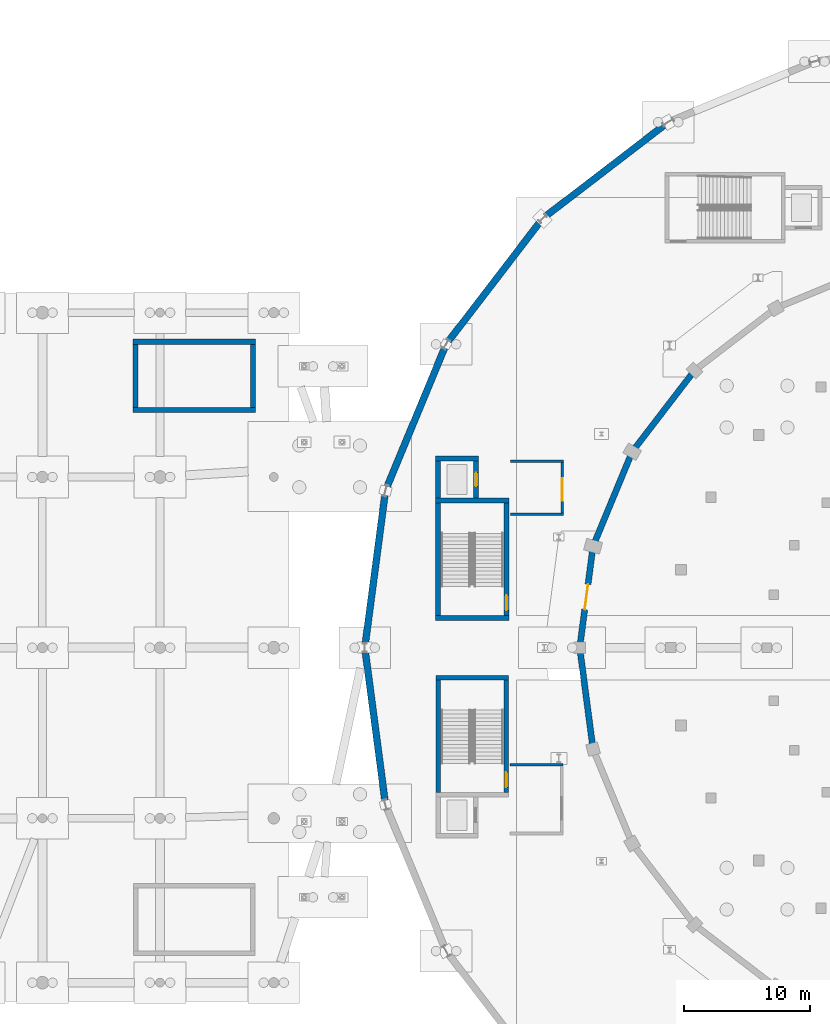
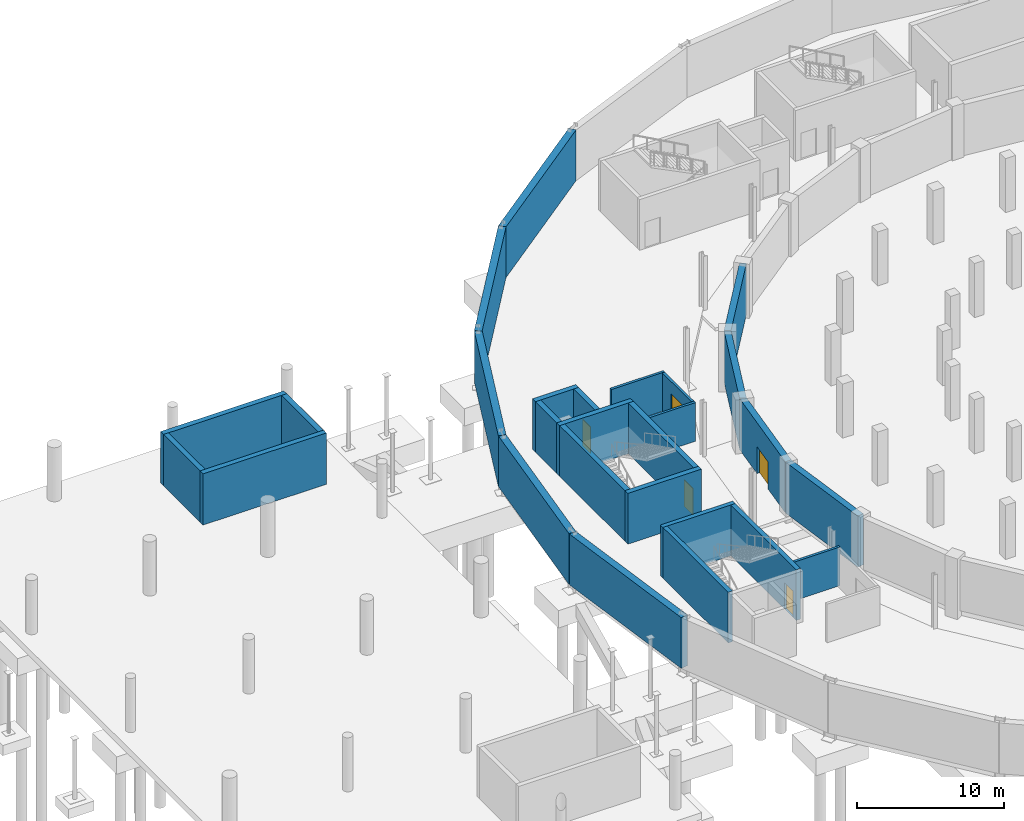
# One storey, part 46 of 55: 27 walls, 5 doors, 5 openings.
"""IFC4 building model written with IfcOpenShell, lengths in metres."""

from ifc_helpers import new_model, si_unit, direction, frame, frame_2d, origin, place, context, subcontext, project, spatial, rectangle, extrude, material, layer, layer_set, type_object, element, fill, save


model = new_model("IFC4")

# Units and contexts
model_context = context("Model", 3, precision=1e-05, world=origin(), true_north=direction((0.0, 1.0)))
body_context = subcontext(model_context, "Body", "Model", "MODEL_VIEW")
ifc_project = project(units=[si_unit("LENGTHUNIT", "METRE"), si_unit("AREAUNIT", "SQUARE_METRE"), si_unit("VOLUMEUNIT", "CUBIC_METRE"), si_unit("PLANEANGLEUNIT", "RADIAN"), si_unit("MASSUNIT", "GRAM", prefix="KILO")], contexts=[model_context])

# Site, building, storey
site_placement = place(None, origin())
site = spatial("IfcSite", under=ifc_project, at=site_placement, CompositionType="ELEMENT")
building_placement = place(site_placement, origin())
building = spatial("IfcBuilding", under=site, at=building_placement, Name="Sohan Crest Arena", CompositionType="ELEMENT")
storey_placement = place(building_placement, frame((0.0, 0.0, -4.5)))
storey = spatial("IfcBuildingStorey", under=building, at=storey_placement, Name="B1", CompositionType="ELEMENT", Elevation=-4.5)

# Walls
ifc_material_1 = material(Name="Fire-rated masonry blockwork compartment wall", Category="masonry")
ifc_layer_1 = layer(ifc_material_1, 0.199951171875, Name="Fire-rated masonry blockwork compartment wall")
ifc_layer_set_1 = layer_set([ifc_layer_1], Name="Fire-rated masonry blockwork compartment wall")
wall_type_1 = type_object("IfcWallType", Name="WAL-FW01", PredefinedType="PARTITIONING", material=ifc_layer_set_1)
for number, where, z_axis, x_axis, name in (
    (1, (61.489990234375, 68.75, 0.0), (0.0, 0.0, 1.0), (1.0, 0.0, 0.0), "Interior partition wall PW-0009"),
    (2, (61.5400390625, 88.550048828125, 0.0), (0.0, 0.0, 1.0), (1.0, 0.0, 0.0), "Interior partition wall PW-0078"),
    (3, (61.5400390625, 92.75, 0.0), (0.0, 0.0, 1.0), (1.0, 0.0, 0.0), "Interior partition wall PW-0079"),
):
    element("IfcWall", number, at=place(storey_placement, frame(where, z_axis=z_axis, x_axis=x_axis)), inside=storey, type_object=wall_type_1, Name=name, PredefinedType="PARTITIONING", context=body_context, shape_type="SweptSolid", body=[
        extrude(rectangle(XDim=4.179931640625, YDim=0.199951171875, at=frame_2d((2.08984375, 0.0))), origin(), (0.0, 0.0, 1.0), 3.219970703125),
    ])

# Wall, opening, door
wall_1_placement = place(storey_placement, frame((65.6201171875, 88.669921875, 0.0), z_axis=(0.0, 0.0, 1.0), x_axis=(0.0, 1.0, 0.0)))
wall_1 = element("IfcWall", 4, at=wall_1_placement, inside=storey, type_object=wall_type_1, Name="Interior partition wall PW-0080", PredefinedType="PARTITIONING", context=body_context, shape_type="SweptSolid", body=[
    extrude(rectangle(XDim=3.9599609375, YDim=0.199951171875, at=frame_2d((1.97998046875, 0.0))), origin(), (0.0, 0.0, 1.0), 3.219970703125),
])
opening_1_placement = place(wall_1_placement, frame((0.949951171875, 0.0, 0.0)))
opening_1 = element("IfcOpeningElement", 5, at=opening_1_placement, cuts=wall_1, Name="Opening FFL-0024", PredefinedType="OPENING", context=body_context, shape_type="SweptSolid", body=[
    extrude(rectangle(XDim=1.800048828125, YDim=2.199951171875, at=frame_2d((0.89990234375, 1.10009765625))), frame((0.0, 0.10986328125, 0.0), z_axis=(0.0, -1.0, 0.0), x_axis=(1.0, 0.0, 0.0)), (0.0, 0.0, 1.0), 0.219970703125),
])
ifc_material_2 = material(Name="Fire-rated timber-faced lobby double door", Category="wood")
door_type_1 = type_object("IfcDoorType", Name="DR-FD03", OperationType="DOUBLE_DOOR_SINGLE_SWING", PredefinedType="DOOR", material=ifc_material_2)
door_1_placement = place(opening_1_placement, origin())
door_1 = element("IfcDoor", 6, at=door_1_placement, inside=storey, type_object=door_type_1, Name="Firefighting lift lobby door FL02 FFL-0024", OperationType="DOUBLE_DOOR_SINGLE_SWING", OverallHeight=2.199951171875, OverallWidth=1.800048828125, PredefinedType="DOOR", context=body_context, shape_type="SweptSolid", body=[
    extrude(rectangle(XDim=1.800048828125, YDim=2.199951171875, at=frame_2d((0.89990234375, 1.10009765625))), frame((0.0, 0.02490234375, 0.0), z_axis=(0.0, -1.0, 0.0), x_axis=(1.0, 0.0, 0.0)), (0.0, 0.0, 1.0), 0.050048828125),
])
fill(opening_1, door_1)

# Walls
ifc_material_3 = material(Name="Concrete C40/50", Category="concrete")
ifc_layer_2 = layer(ifc_material_3, 0.47998046875, Name="Concrete C40/50")
ifc_layer_set_2 = layer_set([ifc_layer_2], Name="Concrete C40/50")
wall_type_2 = type_object("IfcWallType", Name="WAL-RW02", PredefinedType="USERDEFINED", material=ifc_layer_set_2)
wall_2_placement = place(storey_placement, frame((76.080078125, 99.919921875, 0.0), z_axis=(0.0, 0.0, 1.0), x_axis=(-0.608825408167, -0.793304243257, 0.0)))
element("IfcWall", 7, at=wall_2_placement, inside=storey, type_object=wall_type_2, Name="External wall RW-004", ObjectType="RETAINING WALL", PredefinedType="USERDEFINED", context=body_context, shape_type="SweptSolid", body=[
    extrude(rectangle(XDim=8.092529296875, YDim=0.47998046875, at=frame_2d((4.04638671875, 0.0))), origin(), (0.0, 0.0, 1.0), 4.25),
])
wall_3_placement = place(storey_placement, frame((71.153076171875, 93.5, 0.0), z_axis=(0.0, 0.0, 1.0), x_axis=(-0.382691039498, -0.923876381497, 0.0)))
element("IfcWall", 8, at=wall_3_placement, inside=storey, type_object=wall_type_2, Name="External wall RW-005", ObjectType="RETAINING WALL", PredefinedType="USERDEFINED", context=body_context, shape_type="SweptSolid", body=[
    extrude(rectangle(XDim=8.093017578125, YDim=0.47998046875, at=frame_2d((4.04638671875, 0.0))), origin(), (0.0, 0.0, 1.0), 4.25),
])

# Wall, opening, door
wall_4_placement = place(storey_placement, frame((68.055908203125, 86.02294921875, 0.0), z_axis=(0.0, 0.0, 1.0), x_axis=(-0.130485730048, -0.99145018748, 0.0)))
wall_4 = element("IfcWall", 9, at=wall_4_placement, inside=storey, type_object=wall_type_2, Name="External wall RW-006", ObjectType="RETAINING WALL", PredefinedType="USERDEFINED", context=body_context, shape_type="SweptSolid", body=[
    extrude(rectangle(XDim=8.092041015625, YDim=0.47998046875, at=frame_2d((4.0458984375, 0.0))), origin(), (0.0, 0.0, 1.0), 4.25),
])
opening_2_placement = place(wall_4_placement, frame((3.0458984375, 0.0, 0.0)))
opening_2 = element("IfcOpeningElement", 10, at=opening_2_placement, cuts=wall_4, Name="Opening B1V-05", PredefinedType="OPENING", context=body_context, shape_type="SweptSolid", body=[
    extrude(rectangle(XDim=2.0, YDim=2.25, at=frame_2d((1.0, 1.125))), frame((0.0, 0.25, 0.0), z_axis=(0.0, -1.0, 0.0), x_axis=(1.0, 0.0, 0.0)), (0.0, 0.0, 1.0), 0.5),
])
ifc_material_4 = material(Name="Fire-rated steel concourse compartment door", Category="steel")
door_type_2 = type_object("IfcDoorType", Name="DR-FD02", OperationType="DOUBLE_DOOR_SINGLE_SWING", PredefinedType="DOOR", material=ifc_material_4)
door_2_placement = place(opening_2_placement, origin())
door_2 = element("IfcDoor", 11, at=door_2_placement, inside=storey, type_object=door_type_2, Name="Basement bowl egress door B1V-05", OperationType="DOUBLE_DOOR_SINGLE_SWING", OverallHeight=2.25, OverallWidth=2.0, PredefinedType="DOOR", context=body_context, shape_type="SweptSolid", body=[
    extrude(rectangle(XDim=2.0, YDim=2.25, at=frame_2d((1.0, 1.125))), frame((0.0, 0.02490234375, 0.0), z_axis=(0.0, -1.0, 0.0), x_axis=(1.0, 0.0, 0.0)), (0.0, 0.0, 1.0), 0.050048828125),
])
fill(opening_2, door_2)

# Walls
wall_5_placement = place(storey_placement, frame((67.0, 78.0, 0.0), z_axis=(0.0, 0.0, 1.0), x_axis=(0.130485730048, -0.99145018748, 0.0)))
element("IfcWall", 12, at=wall_5_placement, inside=storey, type_object=wall_type_2, Name="External wall RW-007", ObjectType="RETAINING WALL", PredefinedType="USERDEFINED", context=body_context, shape_type="SweptSolid", body=[
    extrude(rectangle(XDim=8.092041015625, YDim=0.47998046875, at=frame_2d((4.0458984375, 0.0))), origin(), (0.0, 0.0, 1.0), 4.25),
])
ifc_layer_3 = layer(ifc_material_3, 0.5400390625, Name="Concrete C40/50")
ifc_layer_set_3 = layer_set([ifc_layer_3], Name="Concrete C40/50")
wall_type_3 = type_object("IfcWallType", Name="WAL-RW03", PredefinedType="USERDEFINED", material=ifc_layer_set_3)
for number, where, z_axis, x_axis, name in (
    (13, (74.0, 119.569091796875, 0.0), (0.0, 0.0, 1.0), (-0.793344121205, -0.608773443368, 0.0), "External wall RW-041"),
    (14, (64.05908203125, 111.94091796875, 0.0), (0.0, 0.0, 1.0), (-0.608773443368, -0.793344121205, 0.0), "External wall RW-042"),
    (15, (56.430908203125, 102.0, 0.0), (0.0, 0.0, 1.0), (-0.382656941645, -0.923890504882, 0.0), "External wall RW-043"),
):
    element("IfcWall", number, at=place(storey_placement, frame(where, z_axis=z_axis, x_axis=x_axis)), inside=storey, type_object=wall_type_3, Name=name, ObjectType="RETAINING WALL", PredefinedType="USERDEFINED", context=body_context, shape_type="SweptSolid", body=[
        extrude(rectangle(XDim=12.530517578125, YDim=0.5400390625, at=frame_2d((6.26513671875, 0.0))), origin(), (0.0, 0.0, 1.0), 4.22509765625),
    ])
for number, where, z_axis, x_axis, name in (
    (16, (51.635986328125, 90.423095703125, 0.0), (0.0, 0.0, 1.0), (-0.130561865783, -0.991440164207, 0.0), "External wall RW-044"),
    (17, (50.0, 78.0, 0.0), (0.0, 0.0, 1.0), (0.130561865783, -0.991440164207, 0.0), "External wall RW-045"),
):
    element("IfcWall", number, at=place(storey_placement, frame(where, z_axis=z_axis, x_axis=x_axis)), inside=storey, type_object=wall_type_3, Name=name, ObjectType="RETAINING WALL", PredefinedType="USERDEFINED", context=body_context, shape_type="SweptSolid", body=[
        extrude(rectangle(XDim=12.5302734375, YDim=0.5400390625, at=frame_2d((6.26513671875, 0.0))), origin(), (0.0, 0.0, 1.0), 4.22509765625),
    ])
ifc_layer_4 = layer(ifc_material_3, 0.35009765625, Name="Concrete C40/50")
ifc_layer_set_4 = layer_set([ifc_layer_4], Name="Concrete C40/50")
wall_type_4 = type_object("IfcWallType", Name="WAL-SW02", PredefinedType="SHEAR", material=ifc_layer_set_4)
wall_6_placement = place(storey_placement, frame((55.64990234375, 75.625, 0.0), z_axis=(0.0, 0.0, 1.0), x_axis=(1.0, 0.0, 0.0)))
element("IfcWall", 18, at=wall_6_placement, inside=storey, type_object=wall_type_4, Name="Core shear wall SW-0002", PredefinedType="SHEAR", context=body_context, shape_type="SweptSolid", body=[
    extrude(rectangle(XDim=5.7001953125, YDim=0.35009765625, at=frame_2d((2.85009765625, 0.0))), origin(), (0.0, 0.0, 1.0), 4.22509765625),
])
wall_7_placement = place(storey_placement, frame((55.824951171875, 66.550048828125, 0.0), z_axis=(0.0, 0.0, 1.0), x_axis=(0.0, 1.0, 0.0)))
element("IfcWall", 19, at=wall_7_placement, inside=storey, type_object=wall_type_4, Name="Core shear wall SW-0003", PredefinedType="SHEAR", context=body_context, shape_type="SweptSolid", body=[
    extrude(rectangle(XDim=8.89990234375, YDim=0.35009765625, at=frame_2d((4.449951171875, 0.0))), origin(), (0.0, 0.0, 1.0), 4.22509765625),
])

# Wall, opening, door
wall_8_placement = place(storey_placement, frame((61.175048828125, 66.550048828125, 0.0), z_axis=(0.0, 0.0, 1.0), x_axis=(0.0, 1.0, 0.0)))
wall_8 = element("IfcWall", 20, at=wall_8_placement, inside=storey, type_object=wall_type_4, Name="Core shear wall SW-0004", PredefinedType="SHEAR", context=body_context, shape_type="SweptSolid", body=[
    extrude(rectangle(XDim=8.89990234375, YDim=0.35009765625, at=frame_2d((4.449951171875, 0.0))), origin(), (0.0, 0.0, 1.0), 4.22509765625),
])
opening_3_placement = place(wall_8_placement, frame((0.39990234375, 0.0, 0.0)))
opening_3 = element("IfcOpeningElement", 21, at=opening_3_placement, cuts=wall_8, Name="Opening SD-0001", PredefinedType="OPENING", context=body_context, shape_type="SweptSolid", body=[
    extrude(rectangle(XDim=1.199951171875, YDim=2.199951171875, at=frame_2d((0.60009765625, 1.10009765625))), frame((0.0, 0.18505859375, 0.0), z_axis=(0.0, -1.0, 0.0), x_axis=(1.0, 0.0, 0.0)), (0.0, 0.0, 1.0), 0.3701171875),
])
ifc_material_5 = material(Name="Fire-rated steel stair and lobby door", Category="steel")
door_type_3 = type_object("IfcDoorType", Name="DR-FD04", OperationType="NOTDEFINED", PredefinedType="DOOR", material=ifc_material_5)
door_3_placement = place(opening_3_placement, origin())
door_3 = element("IfcDoor", 22, at=door_3_placement, inside=storey, type_object=door_type_3, Name="Protected stair door SD-0001", OperationType="SINGLE_SWING_LEFT", OverallHeight=2.199951171875, OverallWidth=1.199951171875, PredefinedType="DOOR", context=body_context, shape_type="SweptSolid", body=[
    extrude(rectangle(XDim=1.199951171875, YDim=2.199951171875, at=frame_2d((0.60009765625, 1.10009765625))), frame((0.0, 0.02490234375, 0.0), z_axis=(0.0, -1.0, 0.0), x_axis=(1.0, 0.0, 0.0)), (0.0, 0.0, 1.0), 0.050048828125),
])
fill(opening_3, door_3)

# Walls
ifc_layer_5 = layer(ifc_material_3, 0.39990234375, Name="Concrete C40/50")
ifc_layer_set_5 = layer_set([ifc_layer_5], Name="Concrete C40/50")
wall_type_5 = type_object("IfcWallType", Name="WAL-SW03", PredefinedType="SHEAR", material=ifc_layer_set_5)
for number, where, z_axis, x_axis, name in (
    (23, (55.60009765625, 80.35009765625, 0.0), (0.0, 0.0, 1.0), (1.0, 0.0, 0.0), "Core shear wall SW-0071"),
    (24, (55.60009765625, 89.64990234375, 0.0), (0.0, 0.0, 1.0), (1.0, 0.0, 0.0), "Core shear wall SW-0072"),
):
    element("IfcWall", number, at=place(storey_placement, frame(where, z_axis=z_axis, x_axis=x_axis)), inside=storey, type_object=wall_type_5, Name=name, PredefinedType="SHEAR", context=body_context, shape_type="SweptSolid", body=[
        extrude(rectangle(XDim=5.7998046875, YDim=0.39990234375, at=frame_2d((2.89990234375, 0.0))), origin(), (0.0, 0.0, 1.0), 4.22509765625),
    ])
wall_9_placement = place(storey_placement, frame((55.800048828125, 80.550048828125, 0.0), z_axis=(0.0, 0.0, 1.0), x_axis=(0.0, 1.0, 0.0)))
element("IfcWall", 25, at=wall_9_placement, inside=storey, type_object=wall_type_5, Name="Core shear wall SW-0073", PredefinedType="SHEAR", context=body_context, shape_type="SweptSolid", body=[
    extrude(rectangle(XDim=8.89990234375, YDim=0.39990234375, at=frame_2d((4.449951171875, 0.0))), origin(), (0.0, 0.0, 1.0), 4.22509765625),
])

# Wall, opening, door
wall_10_placement = place(storey_placement, frame((61.199951171875, 80.550048828125, 0.0), z_axis=(0.0, 0.0, 1.0), x_axis=(0.0, 1.0, 0.0)))
wall_10 = element("IfcWall", 26, at=wall_10_placement, inside=storey, type_object=wall_type_5, Name="Core shear wall SW-0074", PredefinedType="SHEAR", context=body_context, shape_type="SweptSolid", body=[
    extrude(rectangle(XDim=8.89990234375, YDim=0.39990234375, at=frame_2d((4.449951171875, 0.0))), origin(), (0.0, 0.0, 1.0), 4.22509765625),
])
opening_4_placement = place(wall_10_placement, frame((0.39990234375, 0.0, 0.0)))
opening_4 = element("IfcOpeningElement", 27, at=opening_4_placement, cuts=wall_10, Name="Opening SD-0022", PredefinedType="OPENING", context=body_context, shape_type="SweptSolid", body=[
    extrude(rectangle(XDim=1.199951171875, YDim=2.199951171875, at=frame_2d((0.60009765625, 1.10009765625))), frame((0.0, 0.2099609375, 0.0), z_axis=(0.0, -1.0, 0.0), x_axis=(1.0, 0.0, 0.0)), (0.0, 0.0, 1.0), 0.419921875),
])
door_4_placement = place(opening_4_placement, origin())
door_4 = element("IfcDoor", 28, at=door_4_placement, inside=storey, type_object=door_type_3, Name="Protected stair door SD-0022", OperationType="SINGLE_SWING_LEFT", OverallHeight=2.199951171875, OverallWidth=1.199951171875, PredefinedType="DOOR", context=body_context, shape_type="SweptSolid", body=[
    extrude(rectangle(XDim=1.199951171875, YDim=2.199951171875, at=frame_2d((0.60009765625, 1.10009765625))), frame((0.0, 0.02490234375, 0.0), z_axis=(0.0, -1.0, 0.0), x_axis=(1.0, 0.0, 0.0)), (0.0, 0.0, 1.0), 0.050048828125),
])
fill(opening_4, door_4)

# Wall
wall_11_placement = place(storey_placement, frame((55.800048828125, 89.85009765625, 0.0), z_axis=(0.0, 0.0, 1.0), x_axis=(0.0, 1.0, 0.0)))
element("IfcWall", 29, at=wall_11_placement, inside=storey, type_object=wall_type_5, Name="Core shear wall SW-0075", PredefinedType="SHEAR", context=body_context, shape_type="SweptSolid", body=[
    extrude(rectangle(XDim=2.89990234375, YDim=0.39990234375, at=frame_2d((1.449951171875, 0.0))), origin(), (0.0, 0.0, 1.0), 4.22509765625),
])

# Wall, opening, door
wall_12_placement = place(storey_placement, frame((58.800048828125, 89.85009765625, 0.0), z_axis=(0.0, 0.0, 1.0), x_axis=(0.0, 1.0, 0.0)))
wall_12 = element("IfcWall", 30, at=wall_12_placement, inside=storey, type_object=wall_type_5, Name="Core shear wall SW-0076", PredefinedType="SHEAR", context=body_context, shape_type="SweptSolid", body=[
    extrude(rectangle(XDim=2.89990234375, YDim=0.39990234375, at=frame_2d((1.449951171875, 0.0))), origin(), (0.0, 0.0, 1.0), 4.22509765625),
])
opening_5_placement = place(wall_12_placement, frame((0.89990234375, 0.0, 0.0)))
opening_5 = element("IfcOpeningElement", 31, at=opening_5_placement, cuts=wall_12, Name="Opening LD-FL02-B1", PredefinedType="OPENING", context=body_context, shape_type="SweptSolid", body=[
    extrude(rectangle(XDim=1.10009765625, YDim=2.199951171875, at=frame_2d((0.550048828125, 1.10009765625))), frame((0.0, 0.2099609375, 0.0), z_axis=(0.0, -1.0, 0.0), x_axis=(1.0, 0.0, 0.0)), (0.0, 0.0, 1.0), 0.419921875),
])
ifc_material_6 = material(Name="Stainless steel firefighting lift landing door", Category="steel")
door_type_4 = type_object("IfcDoorType", Name="DR-LD01", OperationType="SLIDING_TO_LEFT", PredefinedType="DOOR", material=ifc_material_6)
door_5_placement = place(opening_5_placement, origin())
door_5 = element("IfcDoor", 32, at=door_5_placement, inside=storey, type_object=door_type_4, Name="Sliding lift landing door LD-FL02-B1", OperationType="SLIDING_TO_LEFT", OverallHeight=2.199951171875, OverallWidth=1.10009765625, PredefinedType="DOOR", context=body_context, shape_type="SweptSolid", body=[
    extrude(rectangle(XDim=1.10009765625, YDim=2.199951171875, at=frame_2d((0.550048828125, 1.10009765625))), frame((0.0, 0.02490234375, 0.0), z_axis=(0.0, -1.0, 0.0), x_axis=(1.0, 0.0, 0.0)), (0.0, 0.0, 1.0), 0.050048828125),
])
fill(opening_5, door_5)

# Walls
wall_13_placement = place(storey_placement, frame((55.60009765625, 92.949951171875, 0.0), z_axis=(0.0, 0.0, 1.0), x_axis=(1.0, 0.0, 0.0)))
element("IfcWall", 33, at=wall_13_placement, inside=storey, type_object=wall_type_5, Name="Core shear wall SW-0077", PredefinedType="SHEAR", context=body_context, shape_type="SweptSolid", body=[
    extrude(rectangle(XDim=3.39990234375, YDim=0.39990234375, at=frame_2d((1.699951171875, 0.0))), origin(), (0.0, 0.0, 1.0), 4.22509765625),
])
for number, where, z_axis, x_axis, name in (
    (34, (31.64990234375, 96.800048828125, 0.0), (0.0, 0.0, 1.0), (1.0, 0.0, 0.0), "Core shear wall SW-0556"),
    (35, (31.64990234375, 102.199951171875, 0.0), (0.0, 0.0, 1.0), (1.0, 0.0, 0.0), "Core shear wall SW-0557"),
):
    element("IfcWall", number, at=place(storey_placement, frame(where, z_axis=z_axis, x_axis=x_axis)), inside=storey, type_object=wall_type_5, Name=name, PredefinedType="SHEAR", context=body_context, shape_type="SweptSolid", body=[
        extrude(rectangle(XDim=9.7001953125, YDim=0.39990234375, at=frame_2d((4.85009765625, 0.0))), origin(), (0.0, 0.0, 1.0), 4.27001953125),
    ])
for number, where, z_axis, x_axis, name in (
    (36, (31.85009765625, 97.0, 0.0), (0.0, 0.0, 1.0), (0.0, 1.0, 0.0), "Core shear wall SW-0558"),
    (37, (41.14990234375, 97.0, 0.0), (0.0, 0.0, 1.0), (0.0, 1.0, 0.0), "Core shear wall SW-0559"),
):
    element("IfcWall", number, at=place(storey_placement, frame(where, z_axis=z_axis, x_axis=x_axis)), inside=storey, type_object=wall_type_5, Name=name, PredefinedType="SHEAR", context=body_context, shape_type="SweptSolid", body=[
        extrude(rectangle(XDim=5.0, YDim=0.39990234375, at=frame_2d((2.5, 0.0))), origin(), (0.0, 0.0, 1.0), 4.27001953125),
    ])

save(model, "model.ifc")
